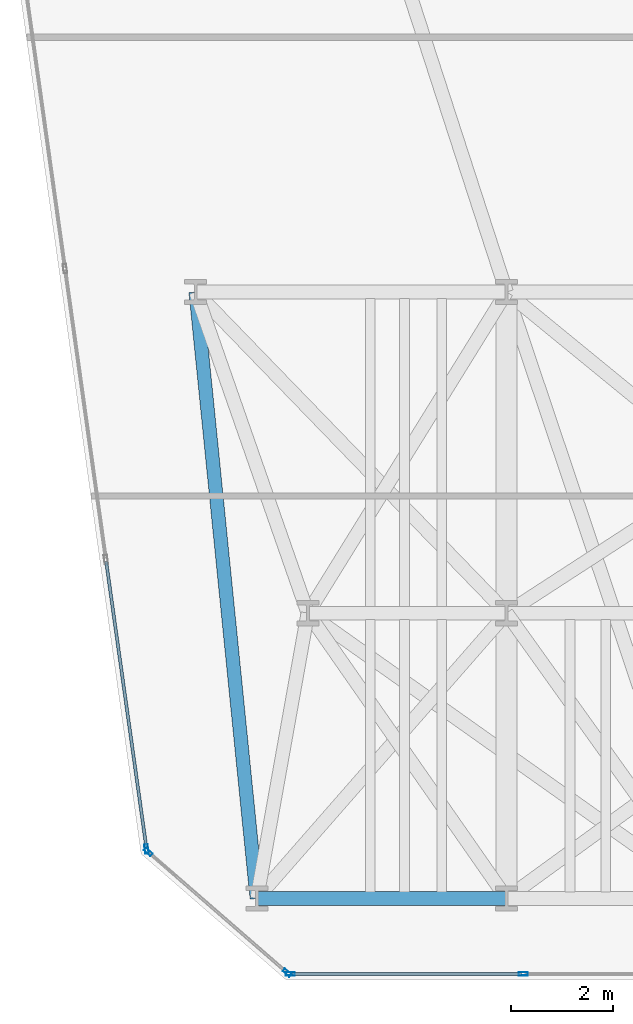
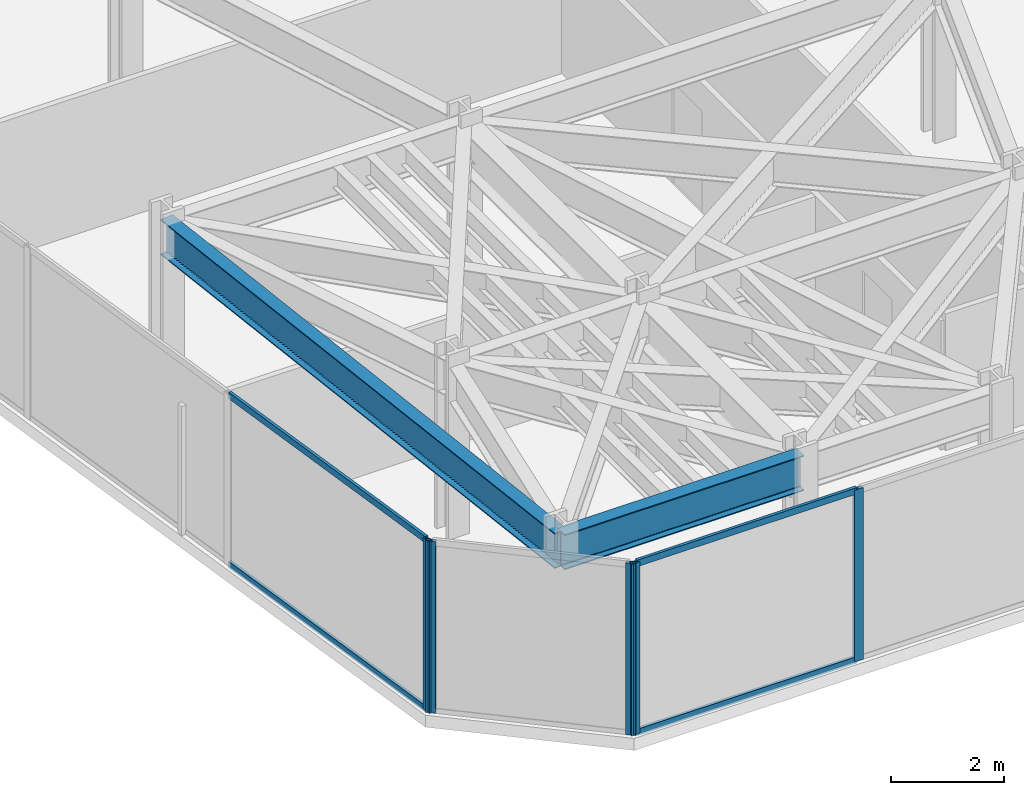
# One storey, part 2 of 25: 9 members, 2 beams, 3 elements without a shape of their own.
"""IFC4 building model written with IfcOpenShell, lengths in metres."""

from ifc_helpers import new_model, si_unit, direction, frame, origin, origin_2d, place, context, subcontext, project, spatial, hollow_rectangle, i_section, extrude, material, layer, layer_set, material_profile, profile_set, type_object, element, aggregate, save


model = new_model("IFC4")

# Units and contexts
model_context = context("Model", 3, precision=1e-05, world=origin(), true_north=direction((0.0, 1.0)))
body_context = subcontext(model_context, "Body", "Model", "MODEL_VIEW")
ifc_project = project(units=[si_unit("LENGTHUNIT", "METRE"), si_unit("AREAUNIT", "SQUARE_METRE"), si_unit("VOLUMEUNIT", "CUBIC_METRE"), si_unit("PLANEANGLEUNIT", "RADIAN"), si_unit("MASSUNIT", "GRAM", prefix="KILO")], contexts=[model_context])

# Site, building, storey
site_placement = place(None, origin())
site = spatial("IfcSite", under=ifc_project, at=site_placement, CompositionType="ELEMENT")
building_placement = place(site_placement, origin())
building = spatial("IfcBuilding", under=site, at=building_placement, Name="Kravanh Interchange Tower", CompositionType="ELEMENT")
storey_placement = place(building_placement, frame((0.0, 0.0, 81.5)))
storey = spatial("IfcBuildingStorey", under=building, at=storey_placement, Name="L19", CompositionType="ELEMENT", Elevation=81.5)

# Curtain wall, member
ifc_material_1 = material(Name="Anodised Bronze Aluminium", Category="aluminium")
ifc_layer = layer(ifc_material_1, 0.179931640625)
ifc_layer_set = layer_set([ifc_layer], Name="Unitised Curtain Wall System CW-Z1 Lower Office")
curtain_wall_type = type_object("IfcCurtainWallType", Name="Unitised Curtain Wall System CW-Z1 Lower Office", PredefinedType="NOTDEFINED", material=ifc_layer_set)
curtain_wall_1_placement = place(storey_placement, origin())
curtain_wall_1 = element("IfcCurtainWall", 1, at=curtain_wall_1_placement, inside=storey, type_object=curtain_wall_type, Name="L19 Unitised Curtain Wall CW-L19-01", PredefinedType="NOTDEFINED")
ifc_material_2 = material(Name="Anodised Bronze Aluminium", Category="aluminium")
ifc_material_profile_1 = material_profile(ifc_material_2, hollow_rectangle(XDim=0.070068359375, YDim=0.179931640625, WallThickness=0.00390625, at=origin_2d()), Name="ALU70X180X4")
ifc_profile_set_1 = profile_set([ifc_material_profile_1], Name="Anodised Bronze Aluminium")
member_type_1 = type_object("IfcMemberType", Name="Curtain Wall Mullion ALU70X180X4 Bronze", PredefinedType="MULLION", material=ifc_profile_set_1)
member_1_placement = place(storey_placement, frame((10.435546875, 3.571533203125, 0.0), z_axis=(0.0, 0.0, 1.0), x_axis=(-0.990267585682, -0.139176538065, 0.0)))
member_1 = element("IfcMember", 2, at=member_1_placement, type_object=member_type_1, Name="CW-Z1 mullion 1", PredefinedType="MULLION", context=body_context, shape_type="SweptSolid", body=[
    extrude(hollow_rectangle(XDim=0.070068359375, YDim=0.179931640625, WallThickness=0.00390625, at=origin_2d()), origin(), (0.0, 0.0, 1.0), 3.719970703125),
])

# Curtain wall, members
curtain_wall_2_placement = place(storey_placement, origin())
curtain_wall_2 = element("IfcCurtainWall", 3, at=curtain_wall_2_placement, inside=storey, type_object=curtain_wall_type, Name="L19 Unitised Curtain Wall CW-L19-06", PredefinedType="NOTDEFINED")
member_2_placement = place(storey_placement, frame((17.8271484375, 1.1201171875, 0.0), z_axis=(0.0, 0.0, 1.0), x_axis=(0.0, -1.0, 0.0)))
member_2 = element("IfcMember", 4, at=member_2_placement, type_object=member_type_1, Name="CW-Z1 mullion 2", PredefinedType="MULLION", context=body_context, shape_type="SweptSolid", body=[
    extrude(hollow_rectangle(XDim=0.070068359375, YDim=0.179931640625, WallThickness=0.00390625, at=origin_2d()), origin(), (0.0, 0.0, 1.0), 3.719970703125),
])
member_3_placement = place(storey_placement, frame((13.255615234375, 1.1201171875, 0.0), z_axis=(0.0, 0.0, 1.0), x_axis=(0.0, -1.0, 0.0)))
member_3 = element("IfcMember", 5, at=member_3_placement, type_object=member_type_1, Name="CW-Z1 mullion 3", PredefinedType="MULLION", context=body_context, shape_type="SweptSolid", body=[
    extrude(hollow_rectangle(XDim=0.070068359375, YDim=0.179931640625, WallThickness=0.00390625, at=origin_2d()), origin(), (0.0, 0.0, 1.0), 3.719970703125),
])

curtain_wall_3_placement = place(storey_placement, origin())
curtain_wall_3 = element("IfcCurtainWall", 6, at=curtain_wall_3_placement, inside=storey, type_object=curtain_wall_type, Name="L19 Unitised Curtain Wall CW-L19-07", PredefinedType="NOTDEFINED")
member_4_placement = place(storey_placement, frame((13.194091796875, 1.14306640625, 0.0), z_axis=(0.0, 0.0, 1.0), x_axis=(-0.656060422341, -0.754708368999, 0.0)))
member_4 = element("IfcMember", 7, at=member_4_placement, type_object=member_type_1, Name="CW-Z1 mullion 1", PredefinedType="MULLION", context=body_context, shape_type="SweptSolid", body=[
    extrude(hollow_rectangle(XDim=0.070068359375, YDim=0.179931640625, WallThickness=0.00390625, at=origin_2d()), origin(), (0.0, 0.0, 1.0), 3.719970703125),
])
member_5_placement = place(storey_placement, frame((10.466796875, 3.513916015625, 0.0), z_axis=(0.0, 0.0, 1.0), x_axis=(-0.656060422341, -0.754708368999, 0.0)))
member_5 = element("IfcMember", 8, at=member_5_placement, type_object=member_type_1, Name="CW-Z1 mullion 2", PredefinedType="MULLION", context=body_context, shape_type="SweptSolid", body=[
    extrude(hollow_rectangle(XDim=0.070068359375, YDim=0.179931640625, WallThickness=0.00390625, at=origin_2d()), origin(), (0.0, 0.0, 1.0), 3.719970703125),
])
aggregate(curtain_wall_3, [member_4, member_5])

# Member
ifc_material_3 = material(Name="Anodised Bronze Aluminium", Category="aluminium")
ifc_material_profile_2 = material_profile(ifc_material_3, hollow_rectangle(XDim=0.06005859375, YDim=0.139892578125, WallThickness=0.00390625, at=origin_2d()), Name="ALU60X140X4")
ifc_profile_set_2 = profile_set([ifc_material_profile_2], Name="Anodised Bronze Aluminium")
member_type_2 = type_object("IfcMemberType", Name="Curtain Wall Transom ALU60X140X4 Bronze", PredefinedType="USERDEFINED", material=ifc_profile_set_2)
member_6_placement = place(storey_placement, frame((10.4306640625, 3.606201171875, 0.030029296875), z_axis=(-0.139199330487, 0.990264382068, 0.0), x_axis=(-0.990264382068, -0.139199330487, 0.0)))
member_6 = element("IfcMember", 9, at=member_6_placement, type_object=member_type_2, Name="CW-Z1 transom 1.1", ObjectType="TRANSOM", PredefinedType="USERDEFINED", context=body_context, shape_type="SweptSolid", body=[
    extrude(hollow_rectangle(XDim=0.06005859375, YDim=0.139892578125, WallThickness=0.00390625, at=origin_2d()), origin(), (0.0, 0.0, 1.0), 5.66162109375),
])

member_7_placement = place(storey_placement, frame((10.4306640625, 3.606201171875, 3.68994140625), z_axis=(-0.139199330487, 0.990264382068, 0.0), x_axis=(-0.990264382068, -0.139199330487, 0.0)))
member_7 = element("IfcMember", 10, at=member_7_placement, type_object=member_type_2, Name="CW-Z1 transom 1.2", ObjectType="TRANSOM", PredefinedType="USERDEFINED", context=body_context, shape_type="SweptSolid", body=[
    extrude(hollow_rectangle(XDim=0.06005859375, YDim=0.139892578125, WallThickness=0.00390625, at=origin_2d()), origin(), (0.0, 0.0, 1.0), 5.66162109375),
])

aggregate(curtain_wall_1, [member_1, member_6, member_7])

member_8_placement = place(storey_placement, frame((17.792236328125, 1.1201171875, 0.030029296875), z_axis=(-1.0, 0.0, 0.0), x_axis=(0.0, -1.0, 0.0)))
member_8 = element("IfcMember", 11, at=member_8_placement, type_object=member_type_2, Name="CW-Z1 transom 2.1", ObjectType="TRANSOM", PredefinedType="USERDEFINED", context=body_context, shape_type="SweptSolid", body=[
    extrude(hollow_rectangle(XDim=0.06005859375, YDim=0.139892578125, WallThickness=0.00390625, at=origin_2d()), origin(), (0.0, 0.0, 1.0), 4.501708984375),
])

member_9_placement = place(storey_placement, frame((17.792236328125, 1.1201171875, 3.68994140625), z_axis=(-1.0, 0.0, 0.0), x_axis=(0.0, -1.0, 0.0)))
member_9 = element("IfcMember", 12, at=member_9_placement, type_object=member_type_2, Name="CW-Z1 transom 2.2", ObjectType="TRANSOM", PredefinedType="USERDEFINED", context=body_context, shape_type="SweptSolid", body=[
    extrude(hollow_rectangle(XDim=0.06005859375, YDim=0.139892578125, WallThickness=0.00390625, at=origin_2d()), origin(), (0.0, 0.0, 1.0), 4.501708984375),
])

aggregate(curtain_wall_2, [member_2, member_3, member_8, member_9])

# Beams
ifc_material_4 = material(Name="Structural Steel S355", Category="steel")
ifc_material_profile_3 = material_profile(ifc_material_4, i_section(OverallWidth=0.26708984375, OverallDepth=0.761962890625, WebThickness=0.014404296875, FlangeThickness=0.021484375, FilletRadius=0.02490234375, at=origin_2d()), Name="W30X116")
ifc_profile_set_3 = profile_set([ifc_material_profile_3], Name="Structural Steel S355")
beam_type = type_object("IfcBeamType", Name="Floor Spandrel W30X116 Structural Steel S355", PredefinedType="SPANDREL", material=ifc_profile_set_3)
beam_1_placement = place(storey_placement, frame((12.60009765625, 2.60009765625, 3.339111328125), z_axis=(1.0, 0.0, 0.0), x_axis=(0.0, 1.0, 0.0)))
element("IfcBeam", 13, at=beam_1_placement, inside=storey, type_object=beam_type, Name="L19 Perimeter Spandrel 38", PredefinedType="SPANDREL", context=body_context, shape_type="SweptSolid", body=[
    extrude(i_section(OverallWidth=0.26708984375, OverallDepth=0.761962890625, WebThickness=0.014404296875, FlangeThickness=0.021484375, FilletRadius=0.02490234375, at=origin_2d()), origin(), (0.0, 0.0, 1.0), 4.89990234375),
])
beam_2_placement = place(storey_placement, frame((12.60009765625, 2.60009765625, 3.339111328125), z_axis=(-0.100348483042, 0.994952351598, 0.0), x_axis=(-0.994952351598, -0.100348483042, 0.0)))
element("IfcBeam", 14, at=beam_2_placement, inside=storey, type_object=beam_type, Name="L19 Perimeter Spandrel 41", PredefinedType="SPANDREL", context=body_context, shape_type="SweptSolid", body=[
    extrude(i_section(OverallWidth=0.26708984375, OverallDepth=0.761962890625, WebThickness=0.014404296875, FlangeThickness=0.021484375, FilletRadius=0.02490234375, at=origin_2d()), origin(), (0.0, 0.0, 1.0), 11.960205078125),
])

save(model, "model.ifc")
